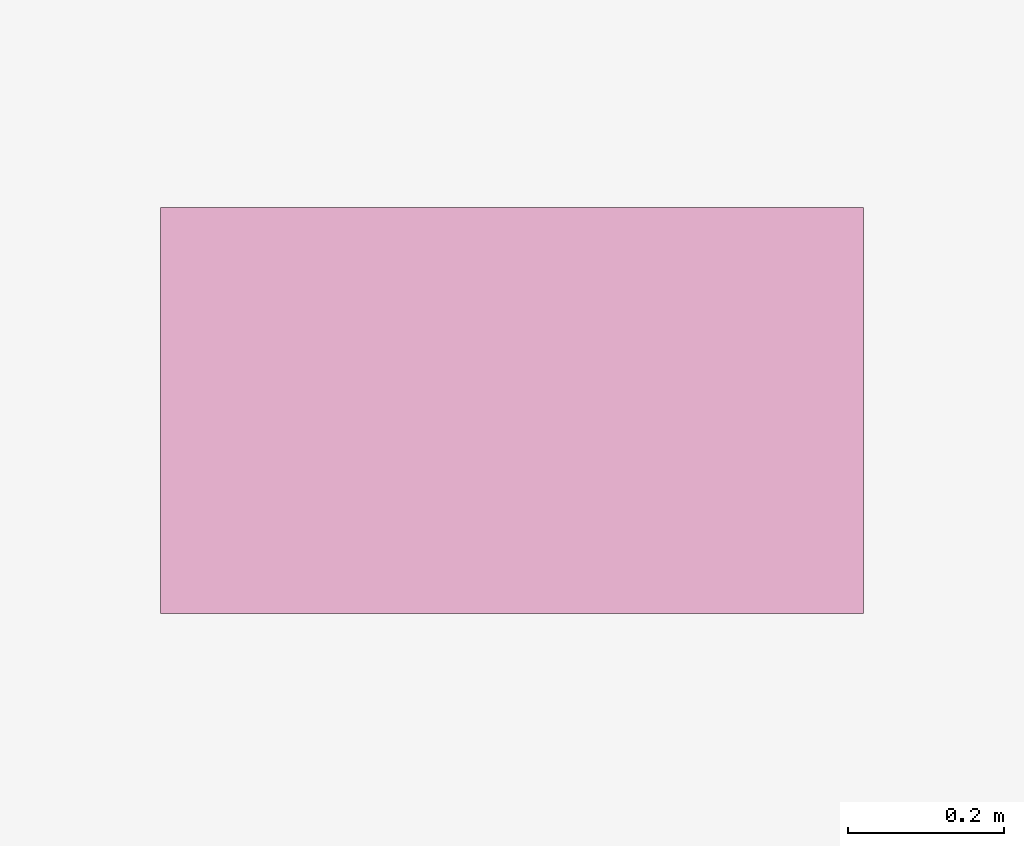
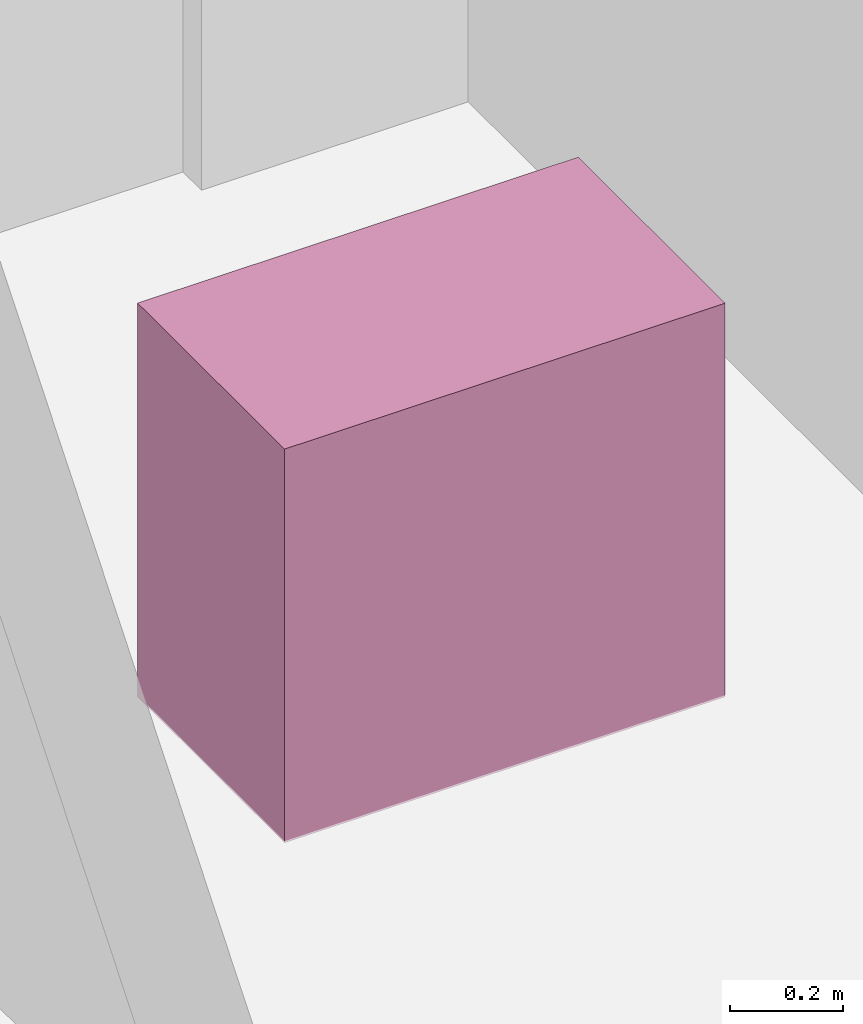
# One storey, part 29 of 29: 1 furnishing.
"""IFC4 building model written with IfcOpenShell, lengths in metres."""

from ifc_helpers import new_model, si_unit, direction, frame, origin, origin_2d, place, context, subcontext, project, spatial, rectangle, extrude, material, type_object, element, save


model = new_model("IFC4")

# Units and contexts
model_context = context("Model", 3, precision=1e-05, world=origin(), true_north=direction((0.0, 1.0)))
body_context = subcontext(model_context, "Body", "Model", "MODEL_VIEW")
ifc_project = project(units=[si_unit("LENGTHUNIT", "METRE"), si_unit("AREAUNIT", "SQUARE_METRE"), si_unit("VOLUMEUNIT", "CUBIC_METRE"), si_unit("PLANEANGLEUNIT", "RADIAN"), si_unit("MASSUNIT", "GRAM", prefix="KILO")], contexts=[model_context])

# Site, building, storey
site_placement = place(None, origin())
site = spatial("IfcSite", under=ifc_project, at=site_placement, CompositionType="ELEMENT")
building_placement = place(site_placement, origin())
building = spatial("IfcBuilding", under=site, at=building_placement, Name="Vorneva Point Tower", CompositionType="ELEMENT")
storey_placement = place(building_placement, frame((0.0, 0.0, 273.300048828125)))
storey = spatial("IfcBuildingStorey", under=building, at=storey_placement, Name="L74", CompositionType="ELEMENT", Elevation=273.300048828125)

# Furnishing
ifc_material = material(Name="Vitreous china and granite top", Category="masonry")
furniture_type = type_object("IfcFurnitureType", Name="FUR-VAN-900", AssemblyPlace="NOTDEFINED", PredefinedType="NOTDEFINED", material=ifc_material)
furnishing_placement = place(storey_placement, frame((34.52490234375, 32.1201171875, -0.005126953125), z_axis=(0.0, 0.0, 1.0), x_axis=(1.0, 0.0, 0.0)))
element("IfcFurnishingElement", 1, at=furnishing_placement, inside=storey, type_object=furniture_type, Name="L74 Accessible WC Vanity Unit", ObjectType="L74 Accessible WC Vanity Unit", context=body_context, shape_type="SweptSolid", body=[
    extrude(rectangle(XDim=0.89990234375, YDim=0.52001953125, at=origin_2d()), origin(), (0.0, 0.0, 1.0), 0.85009765625),
])

save(model, "model.ifc")
